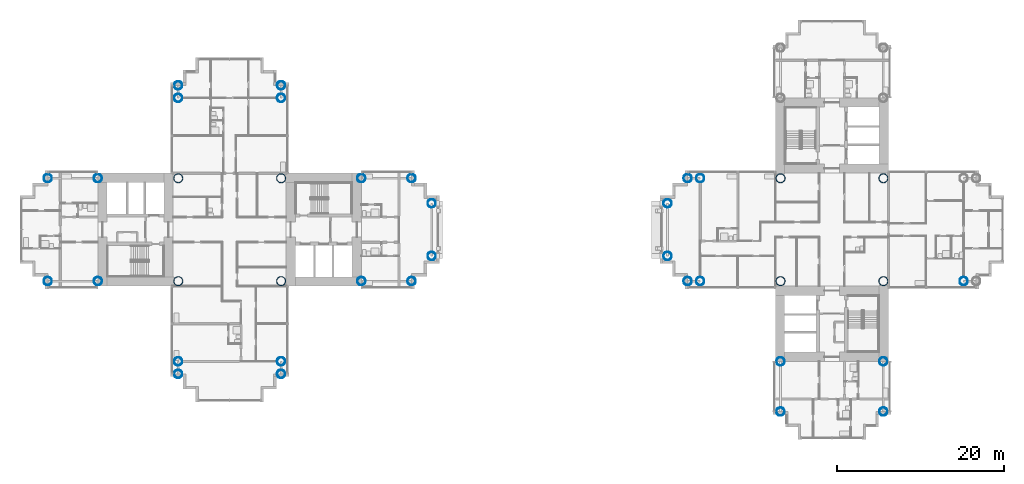
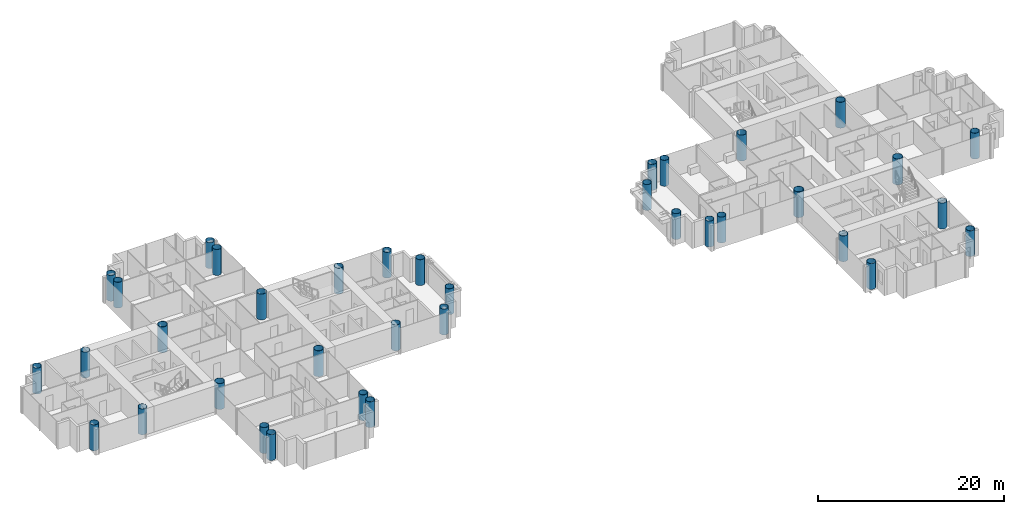
# One storey, part 1 of 22: 37 columns.
"""IFC4 building model written with IfcOpenShell, lengths in metres."""

from ifc_helpers import new_model, si_unit, direction, frame, origin, origin_2d, place, context, subcontext, project, spatial, hollow_circle, extrude, material, material_profile, profile_set, type_object, element, save


model = new_model("IFC4")

# Units and contexts
model_context = context("Model", 3, precision=1e-05, world=origin(), true_north=direction((0.0, 1.0)))
body_context = subcontext(model_context, "Body", "Model", "MODEL_VIEW")
ifc_project = project(units=[si_unit("LENGTHUNIT", "METRE"), si_unit("AREAUNIT", "SQUARE_METRE"), si_unit("VOLUMEUNIT", "CUBIC_METRE"), si_unit("PLANEANGLEUNIT", "RADIAN"), si_unit("MASSUNIT", "GRAM", prefix="KILO")], contexts=[model_context])

# Site, building, storey
site_placement = place(None, origin())
site = spatial("IfcSite", under=ifc_project, at=site_placement, CompositionType="ELEMENT")
building_placement = place(site_placement, origin())
building = spatial("IfcBuilding", under=site, at=building_placement, Name="Ipe Terrace Towers", CompositionType="ELEMENT")
storey_placement = place(building_placement, frame((0.0, 0.0, 68.699951171875)))
storey = spatial("IfcBuildingStorey", under=building, at=storey_placement, Name="L18", CompositionType="ELEMENT", Elevation=68.699951171875)

# Columns
ifc_material_1 = material(Name="Steel S355 tube with Concrete C60/75 fill", Category="concrete")
ifc_material_profile_1 = material_profile(ifc_material_1, hollow_circle(Radius=0.5, WallThickness=0.035888671875, at=origin_2d()), Name="CHS-1000x36")
ifc_profile_set_1 = profile_set([ifc_material_profile_1], Name="Steel S355 tube with Concrete C60/75 fill")
column_type_1 = type_object("IfcColumnType", Name="CH01 COLUMN CHS-1000x36", PredefinedType="COLUMN", material=ifc_profile_set_1)
for number, where, z_axis, x_axis, name in (
    (1, (-20.25, -6.14990234375, 0.0), (0.0, 0.0, 1.0), (1.0, 0.0, 0.0), "Column T1-C-A01"),
    (2, (-20.25, 6.14990234375, 0.0), (0.0, 0.0, 1.0), (1.0, 0.0, 0.0), "Column T1-C-A02"),
    (3, (-14.25, -6.14990234375, 0.0), (0.0, 0.0, 1.0), (1.0, 0.0, 0.0), "Column T1-C-A03"),
    (4, (-14.25, 6.14990234375, 0.0), (0.0, 0.0, 1.0), (1.0, 0.0, 0.0), "Column T1-C-A04"),
    (5, (-11.85009765625, -3.14990234375, 0.0), (0.0, 0.0, 1.0), (1.0, 0.0, 0.0), "Column T1-C-A05"),
    (6, (-11.85009765625, 3.14990234375, 0.0), (0.0, 0.0, 1.0), (1.0, 0.0, 0.0), "Column T1-C-A06"),
    (7, (-29.85009765625, 15.75, 0.0), (0.0, 0.0, 1.0), (1.0, 0.0, 0.0), "Column T1-C-B03"),
    (8, (-42.14990234375, 15.75, 0.0), (0.0, 0.0, 1.0), (1.0, 0.0, 0.0), "Column T1-C-B04"),
    (9, (-29.85009765625, 17.25, 0.0), (0.0, 0.0, 1.0), (1.0, 0.0, 0.0), "Column T1-C-B05"),
    (10, (-42.14990234375, 17.25, 0.0), (0.0, 0.0, 1.0), (1.0, 0.0, 0.0), "Column T1-C-B06"),
    (11, (-51.75, -6.14990234375, 0.0), (0.0, 0.0, 1.0), (1.0, 0.0, 0.0), "Column T1-C-C01"),
    (12, (-51.75, 6.14990234375, 0.0), (0.0, 0.0, 1.0), (1.0, 0.0, 0.0), "Column T1-C-C02"),
    (13, (-57.75, -6.14990234375, 0.0), (0.0, 0.0, 1.0), (1.0, 0.0, 0.0), "Column T1-C-C03"),
    (14, (-57.75, 6.14990234375, 0.0), (0.0, 0.0, 1.0), (1.0, 0.0, 0.0), "Column T1-C-C04"),
    (15, (-42.14990234375, -15.75, 0.0), (0.0, 0.0, 1.0), (1.0, 0.0, 0.0), "Column T1-C-D03"),
    (16, (-29.85009765625, -15.75, 0.0), (0.0, 0.0, 1.0), (1.0, 0.0, 0.0), "Column T1-C-D04"),
    (17, (-42.14990234375, -17.25, 0.0), (0.0, 0.0, 1.0), (1.0, 0.0, 0.0), "Column T1-C-D05"),
    (18, (-29.85009765625, -17.25, 0.0), (0.0, 0.0, 1.0), (1.0, 0.0, 0.0), "Column T1-C-D06"),
    (19, (20.25, 6.14990234375, 0.0), (0.0, 0.0, 1.0), (1.0, 0.0, 0.0), "Column T2-C-B03"),
    (20, (20.25, -6.14990234375, 0.0), (0.0, 0.0, 1.0), (1.0, 0.0, 0.0), "Column T2-C-B04"),
    (21, (18.75, 6.14990234375, 0.0), (0.0, 0.0, 1.0), (1.0, 0.0, 0.0), "Column T2-C-B05"),
    (22, (18.75, -6.14990234375, 0.0), (0.0, 0.0, 1.0), (1.0, 0.0, 0.0), "Column T2-C-B06"),
    (23, (16.35009765625, 3.14990234375, 0.0), (0.0, 0.0, 1.0), (1.0, 0.0, 0.0), "Column T2-C-B07"),
    (24, (16.35009765625, -3.14990234375, 0.0), (0.0, 0.0, 1.0), (1.0, 0.0, 0.0), "Column T2-C-B08"),
    (25, (42.14990234375, -15.75, 0.0), (0.0, 0.0, 1.0), (1.0, 0.0, 0.0), "Column T2-C-C01"),
    (26, (29.85009765625, -15.75, 0.0), (0.0, 0.0, 1.0), (1.0, 0.0, 0.0), "Column T2-C-C02"),
    (27, (42.14990234375, -21.75, 0.0), (0.0, 0.0, 1.0), (1.0, 0.0, 0.0), "Column T2-C-C03"),
    (28, (29.85009765625, -21.75, 0.0), (0.0, 0.0, 1.0), (1.0, 0.0, 0.0), "Column T2-C-C04"),
    (29, (51.75, -6.14990234375, 0.0), (0.0, 0.0, 1.0), (1.0, 0.0, 0.0), "Column T2-C-D03"),
):
    element("IfcColumn", number, at=place(storey_placement, frame(where, z_axis=z_axis, x_axis=x_axis)), inside=storey, type_object=column_type_1, Name=name, PredefinedType="COLUMN", context=body_context, shape_type="SweptSolid", body=[
        extrude(hollow_circle(Radius=0.5, WallThickness=0.035888671875, at=origin_2d()), origin(), (0.0, 0.0, 1.0), 3.400146484375),
    ])
ifc_material_2 = material(Name="Steel S355 tube with Concrete C60/75 fill", Category="concrete")
ifc_material_profile_2 = material_profile(ifc_material_2, hollow_circle(Radius=0.550048828125, WallThickness=0.0400390625, at=origin_2d()), Name="CHS-1100x40")
ifc_profile_set_2 = profile_set([ifc_material_profile_2], Name="Steel S355 tube with Concrete C60/75 fill")
column_type_2 = type_object("IfcColumnType", Name="CH02 COLUMN CHS-1100x40", PredefinedType="COLUMN", material=ifc_profile_set_2)
for number, where, z_axis, x_axis, name in (
    (30, (-42.14990234375, -6.14990234375, 0.0), (0.0, 0.0, 1.0), (1.0, 0.0, 0.0), "Column T1-C-E01"),
    (31, (-29.85009765625, -6.14990234375, 0.0), (0.0, 0.0, 1.0), (1.0, 0.0, 0.0), "Column T1-C-E02"),
    (32, (-29.85009765625, 6.14990234375, 0.0), (0.0, 0.0, 1.0), (1.0, 0.0, 0.0), "Column T1-C-E03"),
    (33, (-42.14990234375, 6.14990234375, 0.0), (0.0, 0.0, 1.0), (1.0, 0.0, 0.0), "Column T1-C-E04"),
    (34, (42.14990234375, -6.14990234375, 0.0), (0.0, 0.0, 1.0), (1.0, 0.0, 0.0), "Column T2-C-E01"),
    (35, (42.14990234375, 6.14990234375, 0.0), (0.0, 0.0, 1.0), (1.0, 0.0, 0.0), "Column T2-C-E02"),
    (36, (29.85009765625, 6.14990234375, 0.0), (0.0, 0.0, 1.0), (1.0, 0.0, 0.0), "Column T2-C-E03"),
    (37, (29.85009765625, -6.14990234375, 0.0), (0.0, 0.0, 1.0), (1.0, 0.0, 0.0), "Column T2-C-E04"),
):
    element("IfcColumn", number, at=place(storey_placement, frame(where, z_axis=z_axis, x_axis=x_axis)), inside=storey, type_object=column_type_2, Name=name, PredefinedType="COLUMN", context=body_context, shape_type="SweptSolid", body=[
        extrude(hollow_circle(Radius=0.550048828125, WallThickness=0.0400390625, at=origin_2d()), origin(), (0.0, 0.0, 1.0), 3.400146484375),
    ])

save(model, "model.ifc")
